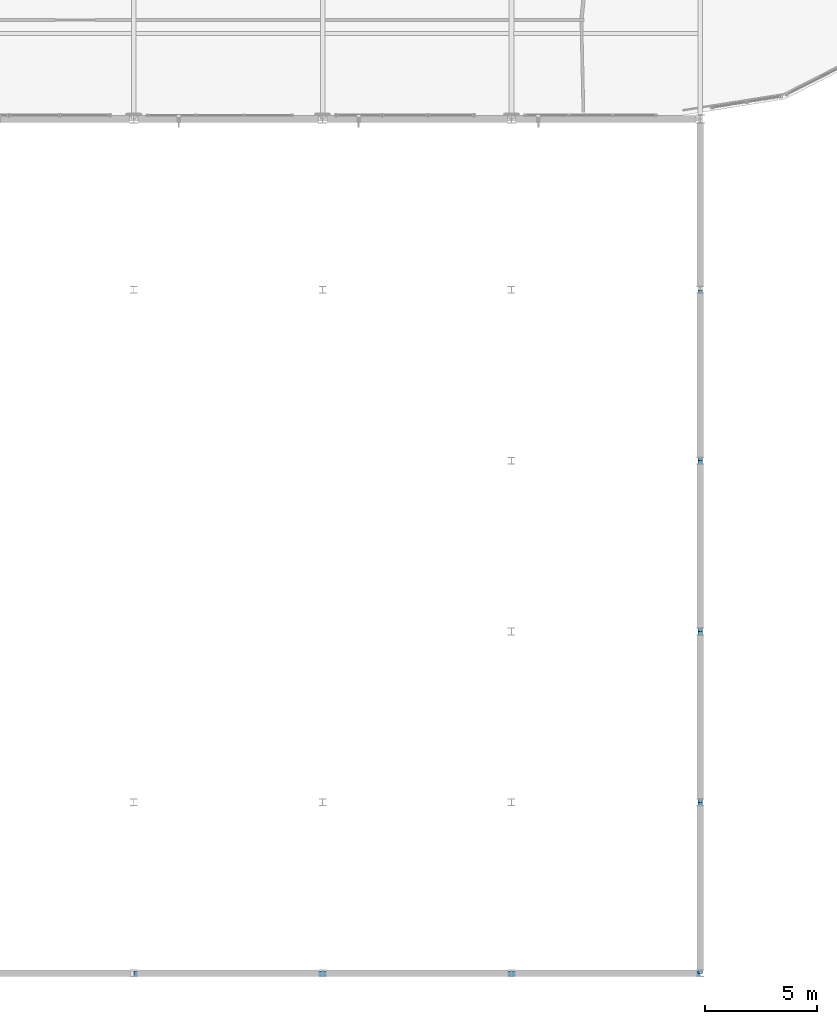
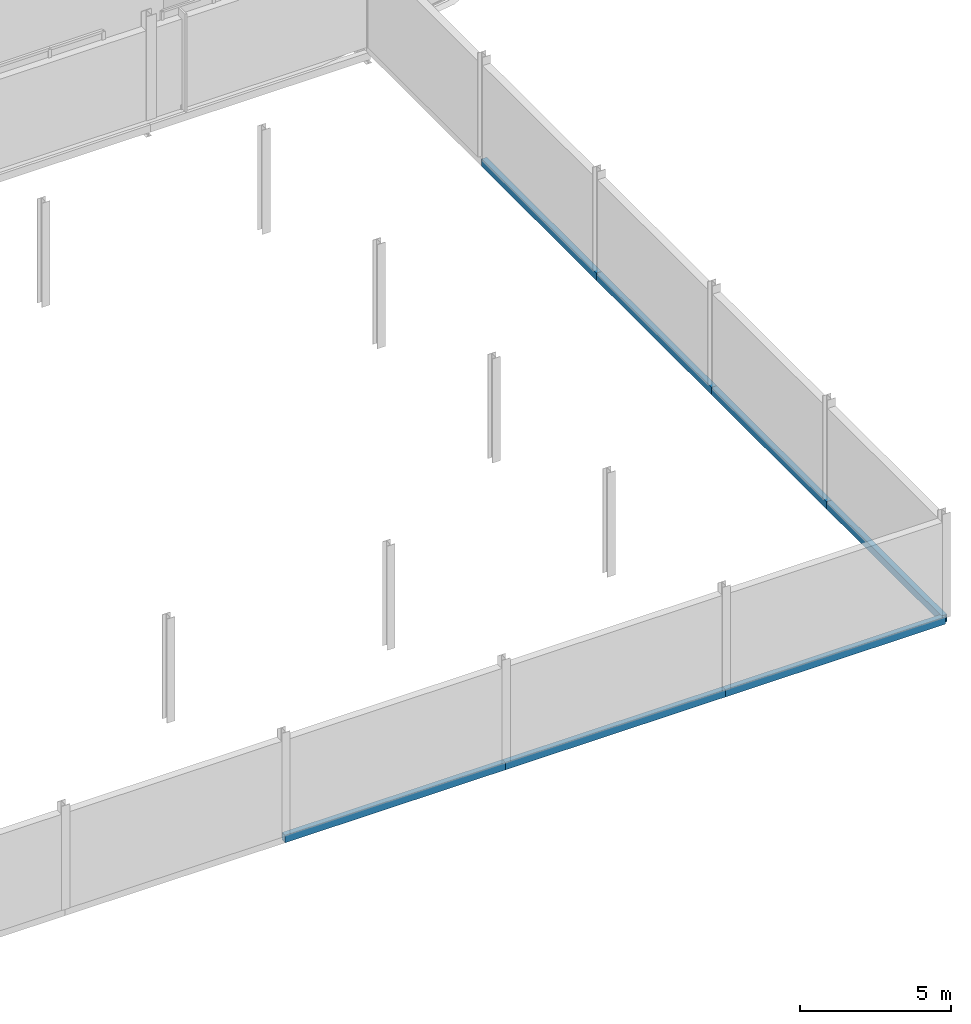
# One storey, part 134 of 217: 7 beams.
"""IFC4 building model written with IfcOpenShell, lengths in metres."""

from ifc_helpers import new_model, si_unit, direction, frame, origin, origin_2d, place, context, subcontext, project, spatial, hollow_rectangle, extrude, material, material_profile, profile_set, type_object, element, save


model = new_model("IFC4")

# Units and contexts
model_context = context("Model", 3, precision=1e-05, world=origin(), true_north=direction((0.0, 1.0)))
body_context = subcontext(model_context, "Body", "Model", "MODEL_VIEW")
ifc_project = project(units=[si_unit("LENGTHUNIT", "METRE"), si_unit("AREAUNIT", "SQUARE_METRE"), si_unit("VOLUMEUNIT", "CUBIC_METRE"), si_unit("PLANEANGLEUNIT", "RADIAN"), si_unit("MASSUNIT", "GRAM", prefix="KILO")], contexts=[model_context])

# Site, building, storey
site_placement = place(None, origin())
site = spatial("IfcSite", under=ifc_project, at=site_placement, CompositionType="ELEMENT")
building_placement = place(site_placement, origin())
building = spatial("IfcBuilding", under=site, at=building_placement, Name="Zuvorla Pavilion Media Centre", CompositionType="ELEMENT")
storey_placement = place(building_placement, frame((0.0, 0.0, 9.60009765625)))
storey = spatial("IfcBuildingStorey", under=building, at=storey_placement, Name="L02", CompositionType="ELEMENT", Elevation=9.60009765625)

# Beams
ifc_material = material(Name="Steel S355", Category="steel")
ifc_material_profile = material_profile(ifc_material, hollow_rectangle(XDim=0.199951171875, YDim=0.300048828125, WallThickness=0.012451171875, at=origin_2d()), Name="RHS 300x200x12.5")
ifc_profile_set = profile_set([ifc_material_profile], Name="Steel S355")
beam_type = type_object("IfcBeamType", Name="BM-SP-RHS300", PredefinedType="SPANDREL", material=ifc_profile_set)
beam_1_placement = place(storey_placement, frame((134.0, 6.0, -0.150146484375), z_axis=(1.0, 0.0, 0.0), x_axis=(0.0, 1.0, 0.0)))
element("IfcBeam", 1, at=beam_1_placement, inside=storey, type_object=beam_type, Name="L02 spandrel SP01 1760", PredefinedType="SPANDREL", context=body_context, shape_type="SweptSolid", body=[
    extrude(hollow_rectangle(XDim=0.199951171875, YDim=0.300048828125, WallThickness=0.012451171875, at=origin_2d()), origin(), (0.0, 0.0, 1.0), 8.39990234375),
])
beam_2_placement = place(storey_placement, frame((142.39990234375, 6.0, -0.150146484375), z_axis=(1.0, 0.0, 0.0), x_axis=(0.0, 1.0, 0.0)))
element("IfcBeam", 2, at=beam_2_placement, inside=storey, type_object=beam_type, Name="L02 spandrel SP01 1761", PredefinedType="SPANDREL", context=body_context, shape_type="SweptSolid", body=[
    extrude(hollow_rectangle(XDim=0.199951171875, YDim=0.300048828125, WallThickness=0.012451171875, at=origin_2d()), origin(), (0.0, 0.0, 1.0), 8.400146484375),
])
beam_3_placement = place(storey_placement, frame((150.800048828125, 6.0, -0.150146484375), z_axis=(1.0, 0.0, 0.0), x_axis=(0.0, 1.0, 0.0)))
element("IfcBeam", 3, at=beam_3_placement, inside=storey, type_object=beam_type, Name="L02 spandrel SP01 1762", PredefinedType="SPANDREL", context=body_context, shape_type="SweptSolid", body=[
    extrude(hollow_rectangle(XDim=0.199951171875, YDim=0.300048828125, WallThickness=0.012451171875, at=origin_2d()), origin(), (0.0, 0.0, 1.0), 8.39990234375),
])
beam_4_placement = place(storey_placement, frame((159.199951171875, 6.0, -0.150146484375), z_axis=(0.0, 1.0, 0.0), x_axis=(-1.0, 0.0, 0.0)))
element("IfcBeam", 4, at=beam_4_placement, inside=storey, type_object=beam_type, Name="L02 spandrel SP01 1763", PredefinedType="SPANDREL", context=body_context, shape_type="SweptSolid", body=[
    extrude(hollow_rectangle(XDim=0.199951171875, YDim=0.300048828125, WallThickness=0.012451171875, at=origin_2d()), origin(), (0.0, 0.0, 1.0), 7.60009765625),
])
beam_5_placement = place(storey_placement, frame((159.199951171875, 13.60009765625, -0.150146484375), z_axis=(0.0, 1.0, 0.0), x_axis=(-1.0, 0.0, 0.0)))
element("IfcBeam", 5, at=beam_5_placement, inside=storey, type_object=beam_type, Name="L02 spandrel SP01 1764", PredefinedType="SPANDREL", context=body_context, shape_type="SweptSolid", body=[
    extrude(hollow_rectangle(XDim=0.199951171875, YDim=0.300048828125, WallThickness=0.012451171875, at=origin_2d()), origin(), (0.0, 0.0, 1.0), 7.599853515625),
])
beam_6_placement = place(storey_placement, frame((159.199951171875, 21.199951171875, -0.150146484375), z_axis=(0.0, 1.0, 0.0), x_axis=(-1.0, 0.0, 0.0)))
element("IfcBeam", 6, at=beam_6_placement, inside=storey, type_object=beam_type, Name="L02 spandrel SP01 1765", PredefinedType="SPANDREL", context=body_context, shape_type="SweptSolid", body=[
    extrude(hollow_rectangle(XDim=0.199951171875, YDim=0.300048828125, WallThickness=0.012451171875, at=origin_2d()), origin(), (0.0, 0.0, 1.0), 7.60009765625),
])
beam_7_placement = place(storey_placement, frame((159.199951171875, 28.800048828125, -0.150146484375), z_axis=(0.0, 1.0, 0.0), x_axis=(-1.0, 0.0, 0.0)))
element("IfcBeam", 7, at=beam_7_placement, inside=storey, type_object=beam_type, Name="L02 spandrel SP01 1766", PredefinedType="SPANDREL", context=body_context, shape_type="SweptSolid", body=[
    extrude(hollow_rectangle(XDim=0.199951171875, YDim=0.300048828125, WallThickness=0.012451171875, at=origin_2d()), origin(), (0.0, 0.0, 1.0), 7.599853515625),
])

save(model, "model.ifc")
